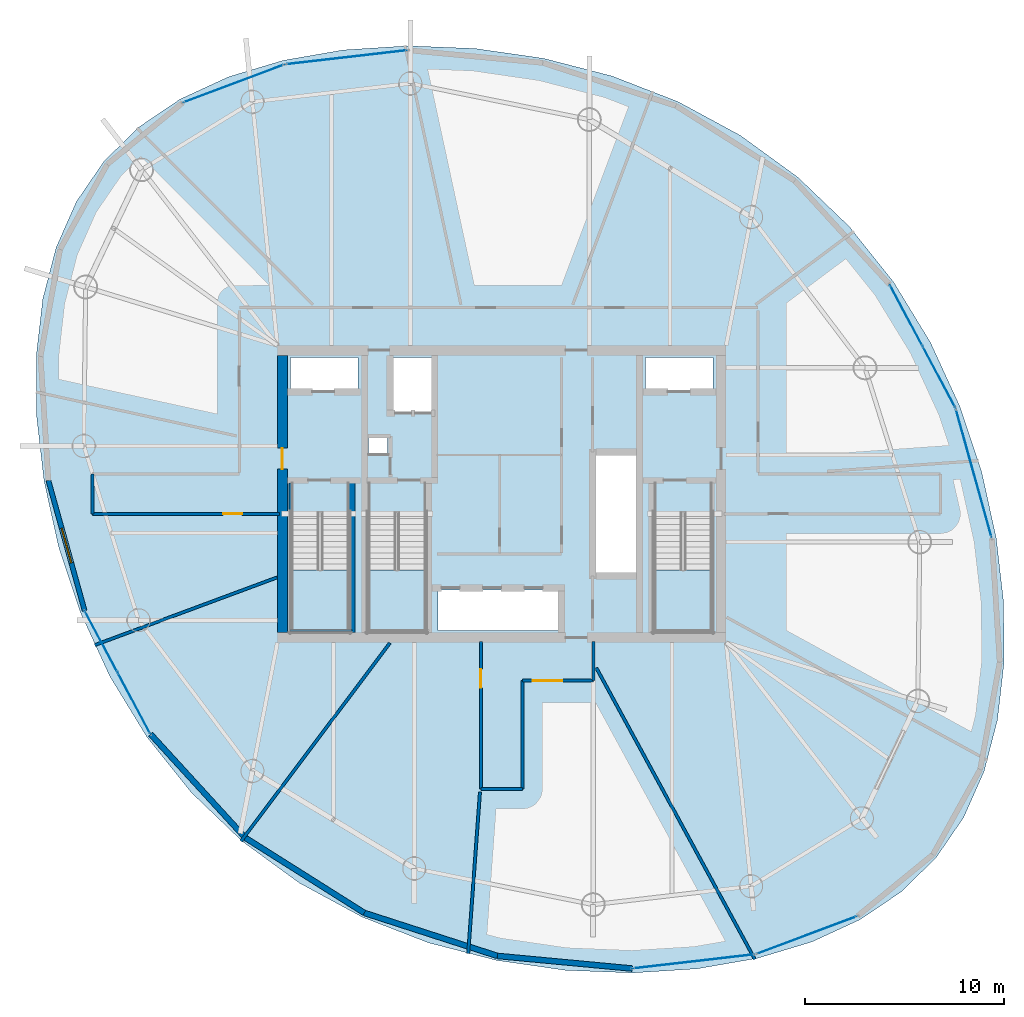
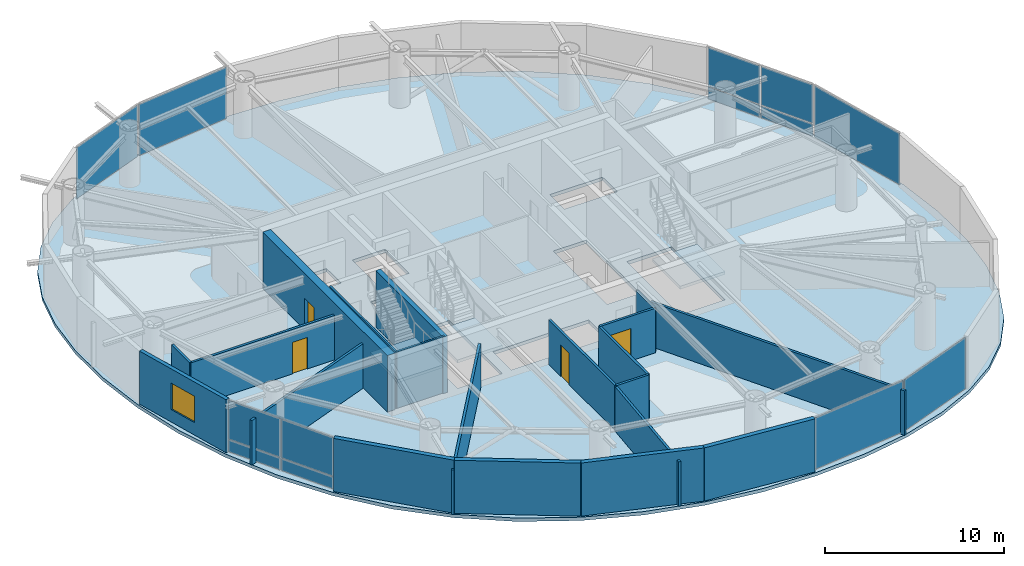
# One storey, part 16 of 22: 20 walls, 13 plates, 4 doors, 4 slabs, 1 window, 5 openings, 10 elements without a shape of their own.
"""IFC4 building model written with IfcOpenShell, lengths in metres."""

from ifc_helpers import new_model, si_unit, direction, frame, frame_2d, origin, origin_2d, place, context, subcontext, project, spatial, polyline, rectangle, outline, extrude, material, layer, layer_set, type_object, element, fill, aggregate, save


model = new_model("IFC4")

# Units and contexts
model_context = context("Model", 3, precision=1e-05, world=origin(), true_north=direction((0.0, 1.0)))
body_context = subcontext(model_context, "Body", "Model", "MODEL_VIEW")
ifc_project = project(units=[si_unit("LENGTHUNIT", "METRE"), si_unit("AREAUNIT", "SQUARE_METRE"), si_unit("VOLUMEUNIT", "CUBIC_METRE"), si_unit("PLANEANGLEUNIT", "RADIAN"), si_unit("MASSUNIT", "GRAM", prefix="KILO")], contexts=[model_context])

# Site, building, storey
site_placement = place(None, origin())
site = spatial("IfcSite", under=ifc_project, at=site_placement, CompositionType="ELEMENT")
building_placement = place(site_placement, origin())
building = spatial("IfcBuilding", under=site, at=building_placement, Name="Bramvorn Convention Spire", CompositionType="ELEMENT")
storey_placement = place(building_placement, frame((0.0, 0.0, 190.449951171875)))
storey = spatial("IfcBuildingStorey", under=building, at=storey_placement, Name="L48", CompositionType="ELEMENT", Elevation=190.449951171875)

# Curtain wall, plate
ifc_material_1 = material(Name="Anodised Bronze Unitised Curtain Wall", Category="aluminium")
ifc_layer_1 = layer(ifc_material_1, 0.179931640625)
ifc_layer_set_1 = layer_set([ifc_layer_1], Name="Anodised Bronze Unitised Curtain Wall - CW-OFF-FRIT")
curtain_wall_type = type_object("IfcCurtainWallType", Name="CW-OFF-FRIT", PredefinedType="USERDEFINED", material=ifc_layer_set_1)
curtain_wall_1_placement = place(storey_placement, origin())
curtain_wall_1 = element("IfcCurtainWall", 1, at=curtain_wall_1_placement, inside=storey, type_object=curtain_wall_type, Name="L48 fritted glass curtain wall 04", ObjectType="UNITISED CURTAIN WALL", PredefinedType="USERDEFINED")
ifc_material_2 = material(Name="Laminated Low-E Glass (Triple IGU Solar Bronze Frit 28%)", Category="glass")
ifc_layer_2 = layer(ifc_material_2, 0.0400390625)
ifc_layer_set_2 = layer_set([ifc_layer_2], Name="Laminated Low-E Glass (Triple IGU Solar Bronze Frit 28%) - PNL-IGU-3")
plate_type = type_object("IfcPlateType", Name="PNL-IGU-3", PredefinedType="CURTAIN_PANEL", material=ifc_layer_set_2)
plate_1_placement = place(storey_placement, frame((61.664306640625, 27.045166015625, 0.06005859375), z_axis=(0.0, 0.0, 1.0), x_axis=(0.268021662336, -0.963412885797, 0.0)))
plate_1 = element("IfcPlate", 2, at=plate_1_placement, type_object=plate_type, Name="CW3 panel 1.1", PredefinedType="CURTAIN_PANEL", context=body_context, shape_type="SweptSolid", body=[
    extrude(rectangle(XDim=6.66455078125, YDim=0.028076171875, at=origin_2d()), origin(), (0.0, 0.0, 1.0), 3.5),
])
aggregate(curtain_wall_1, [plate_1])

# Curtain wall, plates
curtain_wall_2_placement = place(storey_placement, origin())
curtain_wall_2 = element("IfcCurtainWall", 3, at=curtain_wall_2_placement, inside=storey, type_object=curtain_wall_type, Name="L48 fritted glass curtain wall 05", ObjectType="UNITISED CURTAIN WALL", PredefinedType="USERDEFINED")
plate_2_placement = place(storey_placement, frame((58.2822265625, 34.942626953125, 0.06005859375), z_axis=(0.0, 0.0, 1.0), x_axis=(0.471156158426, -0.882049814, 0.0)))
plate_2 = element("IfcPlate", 4, at=plate_2_placement, type_object=plate_type, Name="CW3 panel 1.1", PredefinedType="CURTAIN_PANEL", context=body_context, shape_type="SweptSolid", body=[
    extrude(rectangle(XDim=3.418701171875, YDim=0.028076171875, at=origin_2d()), origin(), (0.0, 0.0, 1.0), 0.81005859375),
])
plate_3_placement = place(storey_placement, frame((58.2822265625, 34.942626953125, 0.93017578125), z_axis=(0.0, 0.0, 1.0), x_axis=(0.471156158426, -0.882049814, 0.0)))
plate_3 = element("IfcPlate", 5, at=plate_3_placement, type_object=plate_type, Name="CW3 panel 1.2", PredefinedType="CURTAIN_PANEL", context=body_context, shape_type="SweptSolid", body=[
    extrude(rectangle(XDim=3.418701171875, YDim=0.028076171875, at=origin_2d()), origin(), (0.0, 0.0, 1.0), 2.6298828125),
])
plate_4_placement = place(storey_placement, frame((59.92138671875, 31.8740234375, 0.06005859375), z_axis=(0.0, 0.0, 1.0), x_axis=(0.471156158426, -0.882049814, 0.0)))
plate_4 = element("IfcPlate", 6, at=plate_4_placement, type_object=plate_type, Name="CW3 panel 2.1", PredefinedType="CURTAIN_PANEL", context=body_context, shape_type="SweptSolid", body=[
    extrude(rectangle(XDim=3.418701171875, YDim=0.028076171875, at=origin_2d()), origin(), (0.0, 0.0, 1.0), 0.81005859375),
])
plate_5_placement = place(storey_placement, frame((59.92138671875, 31.8740234375, 0.93017578125), z_axis=(0.0, 0.0, 1.0), x_axis=(0.471156158426, -0.882049814, 0.0)))
plate_5 = element("IfcPlate", 7, at=plate_5_placement, type_object=plate_type, Name="CW3 panel 2.2", PredefinedType="CURTAIN_PANEL", context=body_context, shape_type="SweptSolid", body=[
    extrude(rectangle(XDim=3.418701171875, YDim=0.028076171875, at=origin_2d()), origin(), (0.0, 0.0, 1.0), 2.6298828125),
])
aggregate(curtain_wall_2, [plate_2, plate_3, plate_4, plate_5])

# Curtain wall, plate
curtain_wall_3_placement = place(storey_placement, origin())
curtain_wall_3 = element("IfcCurtainWall", 8, at=curtain_wall_3_placement, inside=storey, type_object=curtain_wall_type, Name="L48 fritted glass curtain wall 10", ObjectType="UNITISED CURTAIN WALL", PredefinedType="USERDEFINED")
plate_6_placement = place(storey_placement, frame((30.209228515625, 47.895263671875, 0.06005859375), z_axis=(0.0, 0.0, 1.0), x_axis=(0.99341624907, 0.114560709165, 0.0)))
plate_6 = element("IfcPlate", 9, at=plate_6_placement, type_object=plate_type, Name="CW3 panel 1.1", PredefinedType="CURTAIN_PANEL", context=body_context, shape_type="SweptSolid", body=[
    extrude(rectangle(XDim=6.1064453125, YDim=0.028076171875, at=origin_2d()), origin(), (0.0, 0.0, 1.0), 3.5),
])
aggregate(curtain_wall_3, [plate_6])

curtain_wall_4_placement = place(storey_placement, origin())
curtain_wall_4 = element("IfcCurtainWall", 10, at=curtain_wall_4_placement, inside=storey, type_object=curtain_wall_type, Name="L48 fritted glass curtain wall 11", ObjectType="UNITISED CURTAIN WALL", PredefinedType="USERDEFINED")
plate_7_placement = place(storey_placement, frame((24.55810546875, 46.57958984375, 0.06005859375), z_axis=(0.0, 0.0, 1.0), x_axis=(0.936385569171, 0.350973027239, 0.0)))
plate_7 = element("IfcPlate", 11, at=plate_7_placement, type_object=plate_type, Name="CW3 panel 1.1", PredefinedType="CURTAIN_PANEL", context=body_context, shape_type="SweptSolid", body=[
    extrude(rectangle(XDim=5.344482421875, YDim=0.028076171875, at=origin_2d()), origin(), (0.0, 0.0, 1.0), 3.5),
])
aggregate(curtain_wall_4, [plate_7])

# Curtain wall, plates
curtain_wall_5_placement = place(storey_placement, origin())
curtain_wall_5 = element("IfcCurtainWall", 12, at=curtain_wall_5_placement, inside=storey, type_object=curtain_wall_type, Name="L48 fritted glass curtain wall 17", ObjectType="UNITISED CURTAIN WALL", PredefinedType="USERDEFINED")
plate_8_placement = place(storey_placement, frame((19.558837890625, 15.51806640625, 0.06005859375), z_axis=(0.0, 0.0, 1.0), x_axis=(-0.471162080469, 0.882046650653, 0.0)))
plate_8 = element("IfcPlate", 13, at=plate_8_placement, type_object=plate_type, Name="CW3 panel 1.1", PredefinedType="CURTAIN_PANEL", context=body_context, shape_type="SweptSolid", body=[
    extrude(rectangle(XDim=3.418701171875, YDim=0.028076171875, at=origin_2d()), origin(), (0.0, 0.0, 1.0), 0.81005859375),
])
plate_9_placement = place(storey_placement, frame((19.558837890625, 15.51806640625, 0.93017578125), z_axis=(0.0, 0.0, 1.0), x_axis=(-0.471162080469, 0.882046650653, 0.0)))
plate_9 = element("IfcPlate", 14, at=plate_9_placement, type_object=plate_type, Name="CW3 panel 1.2", PredefinedType="CURTAIN_PANEL", context=body_context, shape_type="SweptSolid", body=[
    extrude(rectangle(XDim=3.418701171875, YDim=0.028076171875, at=origin_2d()), origin(), (0.0, 0.0, 1.0), 2.6298828125),
])
plate_10_placement = place(storey_placement, frame((17.919921875, 18.58642578125, 0.06005859375), z_axis=(0.0, 0.0, 1.0), x_axis=(-0.471162080469, 0.882046650653, 0.0)))
plate_10 = element("IfcPlate", 15, at=plate_10_placement, type_object=plate_type, Name="CW3 panel 2.1", PredefinedType="CURTAIN_PANEL", context=body_context, shape_type="SweptSolid", body=[
    extrude(rectangle(XDim=3.418701171875, YDim=0.028076171875, at=origin_2d()), origin(), (0.0, 0.0, 1.0), 0.81005859375),
])
plate_11_placement = place(storey_placement, frame((17.919921875, 18.58642578125, 0.93017578125), z_axis=(0.0, 0.0, 1.0), x_axis=(-0.471162080469, 0.882046650653, 0.0)))
plate_11 = element("IfcPlate", 16, at=plate_11_placement, type_object=plate_type, Name="CW3 panel 2.2", PredefinedType="CURTAIN_PANEL", context=body_context, shape_type="SweptSolid", body=[
    extrude(rectangle(XDim=3.418701171875, YDim=0.028076171875, at=origin_2d()), origin(), (0.0, 0.0, 1.0), 2.6298828125),
])
aggregate(curtain_wall_5, [plate_8, plate_9, plate_10, plate_11])

# Curtain wall, plate
curtain_wall_6_placement = place(storey_placement, origin())
curtain_wall_6 = element("IfcCurtainWall", 17, at=curtain_wall_6_placement, inside=storey, type_object=curtain_wall_type, Name="L48 fritted glass curtain wall 22", ObjectType="UNITISED CURTAIN WALL", PredefinedType="USERDEFINED")
plate_12_placement = place(storey_placement, frame((47.632080078125, 2.565185546875, 0.06005859375), z_axis=(0.0, 0.0, 1.0), x_axis=(-0.993414421139, -0.114576558999, 0.0)))
plate_12 = element("IfcPlate", 18, at=plate_12_placement, type_object=plate_type, Name="CW3 panel 1.1", PredefinedType="CURTAIN_PANEL", context=body_context, shape_type="SweptSolid", body=[
    extrude(rectangle(XDim=6.1064453125, YDim=0.028076171875, at=origin_2d()), origin(), (0.0, 0.0, 1.0), 3.5),
])
aggregate(curtain_wall_6, [plate_12])

curtain_wall_7_placement = place(storey_placement, origin())
curtain_wall_7 = element("IfcCurtainWall", 19, at=curtain_wall_7_placement, inside=storey, type_object=curtain_wall_type, Name="L48 fritted glass curtain wall 23", ObjectType="UNITISED CURTAIN WALL", PredefinedType="USERDEFINED")
plate_13_placement = place(storey_placement, frame((53.283203125, 3.880859375, 0.06005859375), z_axis=(0.0, 0.0, 1.0), x_axis=(-0.936391583249, -0.350956981439, 0.0)))
plate_13 = element("IfcPlate", 20, at=plate_13_placement, type_object=plate_type, Name="CW3 panel 1.1", PredefinedType="CURTAIN_PANEL", context=body_context, shape_type="SweptSolid", body=[
    extrude(rectangle(XDim=5.344482421875, YDim=0.028076171875, at=origin_2d()), origin(), (0.0, 0.0, 1.0), 3.5),
])
aggregate(curtain_wall_7, [plate_13])

# Stair, slab
ifc_material_3 = material(Name="Concrete C40/50 Precast Stair", Category="concrete")
stair_type = type_object("IfcStairType", Name="ST-TOWER-1550", PredefinedType="HALF_TURN_STAIR", material=ifc_material_3)
stair_1_placement = place(storey_placement, origin())
stair_1 = element("IfcStair", 21, at=stair_1_placement, inside=storey, type_object=stair_type, Name="L48 Protected Exit Stair ST1", PredefinedType="HALF_TURN_STAIR")
ifc_material_4 = material(Name="Concrete C40/50 Stair Landing", Category="concrete")
ifc_layer_3 = layer(ifc_material_4, 0.219970703125)
ifc_layer_set_3 = layer_set([ifc_layer_3], Name="Concrete C40/50 Stair Landing - SLB-STAIR-LANDING")
slab_type_1 = type_object("IfcSlabType", Name="SLB-STAIR-LANDING", PredefinedType="LANDING", material=ifc_layer_set_3)
slab_1_placement = place(storey_placement, frame((0.0, 0.0, 1.72509765625)))
slab_1 = element("IfcSlab", 22, at=slab_1_placement, type_object=slab_type_1, Name="ST1 landing 1", PredefinedType="LANDING", context=body_context, shape_type="SweptSolid", body=[
    extrude(outline(polyline([(27.449951171875, 22.199951171875), (27.449951171875, 19.10009765625), (30.35009765625, 19.10009765625), (30.35009765625, 22.199951171875), (27.449951171875, 22.199951171875)])), origin(), (0.0, 0.0, 1.0), 0.199951171875),
])
aggregate(stair_1, [slab_1])

stair_2_placement = place(storey_placement, origin())
stair_2 = element("IfcStair", 23, at=stair_2_placement, inside=storey, type_object=stair_type, Name="L48 Protected Exit Stair ST2", PredefinedType="HALF_TURN_STAIR")
slab_2_placement = place(storey_placement, frame((0.0, 0.0, 1.72509765625)))
slab_2 = element("IfcSlab", 24, at=slab_2_placement, type_object=slab_type_1, Name="ST2 landing 1", PredefinedType="LANDING", context=body_context, shape_type="SweptSolid", body=[
    extrude(outline(polyline([(45.64990234375, 22.199951171875), (45.64990234375, 19.10009765625), (48.550048828125, 19.10009765625), (48.550048828125, 22.199951171875), (45.64990234375, 22.199951171875)])), origin(), (0.0, 0.0, 1.0), 0.199951171875),
])
aggregate(stair_2, [slab_2])

stair_3_placement = place(storey_placement, origin())
stair_3 = element("IfcStair", 25, at=stair_3_placement, inside=storey, type_object=stair_type, Name="L48 Protected Exit Stair ST3", PredefinedType="HALF_TURN_STAIR")
slab_3_placement = place(storey_placement, frame((0.0, 0.0, 1.72509765625)))
slab_3 = element("IfcSlab", 26, at=slab_3_placement, type_object=slab_type_1, Name="ST3 landing 1", PredefinedType="LANDING", context=body_context, shape_type="SweptSolid", body=[
    extrude(outline(polyline([(31.300048828125, 22.199951171875), (31.300048828125, 19.10009765625), (34.199951171875, 19.10009765625), (34.199951171875, 22.199951171875), (31.300048828125, 22.199951171875)])), origin(), (0.0, 0.0, 1.0), 0.199951171875),
])
aggregate(stair_3, [slab_3])

# Slab
ifc_material_5 = material(Name="Concrete C40/50", Category="concrete")
ifc_layer_4 = layer(ifc_material_5, 0.22998046875)
ifc_layer_set_4 = layer_set([ifc_layer_4], Name="Concrete C40/50 - SLB-Z3-230")
slab_type_2 = type_object("IfcSlabType", Name="SLB-Z3-230", PredefinedType="FLOOR", material=ifc_layer_set_4)
slab_4_placement = place(storey_placement, frame((0.0, 0.0, -0.22998046875)))
element("IfcSlab", 27, at=slab_4_placement, inside=storey, type_object=slab_type_2, Name="L48 tower floor slab", PredefinedType="FLOOR", context=body_context, shape_type="SweptSolid", body=[
    extrude(outline(polyline([(59.78759765625, 7.78271484375), (61.161865234375, 9.789306640625), (62.182373046875, 12.091796875), (62.85400390625, 14.677978515625), (63.1806640625, 17.52197265625), (63.16162109375, 20.5810546875), (62.79248046875, 23.796630859375), (62.064208984375, 27.095703125), (60.966552734375, 30.394775390625), (59.491455078125, 33.60546875), (57.637939453125, 36.64111328125), (55.414794921875, 39.42236328125), (52.84521484375, 41.8837890625), (49.967529296875, 43.97705078125), (46.83642578125, 45.672607421875), (43.520751953125, 46.959228515625), (40.099609375, 47.84228515625), (36.658203125, 48.33837890625), (33.2822265625, 48.47119140625), (30.052001953125, 48.264892578125), (27.0380859375, 47.74169921875), (24.297119140625, 46.916748046875), (21.87060546875, 45.797607421875), (19.78515625, 44.385498046875), (18.0537109375, 42.677734375), (16.679443359375, 40.671142578125), (15.658935546875, 38.36865234375), (14.9873046875, 35.782470703125), (14.66064453125, 32.938720703125), (14.679443359375, 29.87939453125), (15.048583984375, 26.663818359375), (15.777099609375, 23.36474609375), (16.874755859375, 20.065673828125), (18.349609375, 16.85498046875), (20.203125, 13.819580078125), (22.42626953125, 11.0380859375), (24.99609375, 8.57666015625), (27.873779296875, 6.4833984375), (31.004638671875, 4.7880859375), (34.320556640625, 3.501220703125), (37.74169921875, 2.618408203125), (41.18310546875, 2.1220703125), (44.558837890625, 1.989501953125), (47.7890625, 2.195556640625), (50.80322265625, 2.71875), (53.544189453125, 3.543701171875), (55.970703125, 4.662841796875), (58.05615234375, 6.074951171875), (59.78759765625, 7.78271484375)]), holes=[polyline([(27.449951171875, 25.050048828125), (27.449951171875, 19.10009765625), (30.35009765625, 19.10009765625), (30.35009765625, 25.050048828125), (27.449951171875, 25.050048828125)]), polyline([(45.64990234375, 25.050048828125), (45.64990234375, 19.10009765625), (48.550048828125, 19.10009765625), (48.550048828125, 25.050048828125), (45.64990234375, 25.050048828125)]), polyline([(31.300048828125, 25.050048828125), (31.300048828125, 19.10009765625), (34.199951171875, 19.10009765625), (34.199951171875, 25.050048828125), (31.300048828125, 25.050048828125)]), polyline([(27.39990234375, 31.219970703125), (30.800048828125, 31.219970703125), (30.800048828125, 32.85009765625), (27.39990234375, 32.85009765625), (27.39990234375, 31.219970703125)]), polyline([(45.199951171875, 31.219970703125), (48.60009765625, 31.219970703125), (48.60009765625, 32.85009765625), (45.199951171875, 32.85009765625), (45.199951171875, 31.219970703125)]), polyline([(32.449951171875, 30.14990234375), (34.56005859375, 30.14990234375), (34.56005859375, 32.85009765625), (32.449951171875, 32.85009765625), (32.449951171875, 30.14990234375)]), polyline([(34.800048828125, 19.14990234375), (40.97998046875, 19.14990234375), (40.97998046875, 21.199951171875), (34.800048828125, 21.199951171875), (34.800048828125, 19.14990234375)]), polyline([(42.6201171875, 22.0), (44.75, 22.0), (44.75, 28.0), (42.6201171875, 28.0), (42.6201171875, 22.0)]), polyline([(31.320068359375, 28.02001953125), (32.280029296875, 28.02001953125), (32.280029296875, 28.820068359375), (31.320068359375, 28.820068359375), (31.320068359375, 28.02001953125)])]), origin(), (0.0, 0.0, 1.0), 0.22998046875),
])

# Wall, opening, door
ifc_material_6 = material(Name="Concrete C50/60", Category="concrete")
ifc_layer_5 = layer(ifc_material_6, 0.5)
ifc_layer_set_5 = layer_set([ifc_layer_5], Name="Concrete C50/60 - WL-CORE-500")
wall_type_1 = type_object("IfcWallType", Name="WL-CORE-500", PredefinedType="SHEAR", material=ifc_layer_set_5)
wall_1_placement = place(storey_placement, frame((27.0, 19.050048828125, 0.0), z_axis=(0.0, 0.0, 1.0), x_axis=(0.0, 1.0, 0.0)))
wall_1 = element("IfcWall", 28, at=wall_1_placement, inside=storey, type_object=wall_type_1, Name="L48 West RC core shear wall", PredefinedType="SHEAR", context=body_context, shape_type="SweptSolid", body=[
    extrude(rectangle(XDim=13.89990234375, YDim=0.5, at=frame_2d((6.949951171875, 0.0))), origin(), (0.0, 0.0, 1.0), 3.85009765625),
])
opening_1_placement = place(wall_1_placement, frame((8.199951171875, 0.0, 0.0)))
opening_1 = element("IfcOpeningElement", 29, at=opening_1_placement, cuts=wall_1, Name="Opening DL-105", PredefinedType="OPENING", context=body_context, shape_type="SweptSolid", body=[
    extrude(rectangle(XDim=1.050048828125, YDim=2.14990234375, at=frame_2d((0.52490234375, 1.074951171875))), frame((0.0, 0.260009765625, 0.0), z_axis=(0.0, -1.0, 0.0), x_axis=(1.0, 0.0, 0.0)), (0.0, 0.0, 1.0), 0.52001953125),
])
ifc_material_7 = material(Name="Smoke-Sealed Fire Lobby Timber-Core Door", Category="wood")
door_type_1 = type_object("IfcDoorType", Name="DR-LOBBY-1050", OperationType="NOTDEFINED", PredefinedType="DOOR", material=ifc_material_7)
door_1_placement = place(opening_1_placement, origin())
door_1 = element("IfcDoor", 30, at=door_1_placement, inside=storey, type_object=door_type_1, Name="L48 West Firefighting Lobby corridor door", OperationType="SINGLE_SWING_RIGHT", OverallHeight=2.14990234375, OverallWidth=1.050048828125, PredefinedType="DOOR", context=body_context, shape_type="SweptSolid", body=[
    extrude(rectangle(XDim=1.050048828125, YDim=2.14990234375, at=frame_2d((0.52490234375, 1.074951171875))), frame((0.0, 0.02490234375, 0.0), z_axis=(0.0, -1.0, 0.0), x_axis=(1.0, 0.0, 0.0)), (0.0, 0.0, 1.0), 0.050048828125),
])
fill(opening_1, door_1)

# Wall, opening, window
ifc_material_8 = material(Name="Precast Concrete C40/50 with Bronze Terracotta Rainscreen", Category="masonry")
ifc_layer_6 = layer(ifc_material_8, 0.300048828125)
ifc_layer_set_6 = layer_set([ifc_layer_6], Name="Precast Concrete C40/50 with Bronze Terracotta Rainscreen - WL-EXT-BRONZE-300")
wall_type_2 = type_object("IfcWallType", Name="WL-EXT-BRONZE-300", PredefinedType="SOLIDWALL", material=ifc_layer_set_6)
wall_2_placement = place(storey_placement, frame((17.086181640625, 20.147216796875, 0.0), z_axis=(0.0, 0.0, 1.0), x_axis=(-0.268022467679, 0.963412661749, 0.0)))
wall_2 = element("IfcWall", 31, at=wall_2_placement, inside=storey, type_object=wall_type_2, Name="L48 bronze ceramic-frit spandrel & operable window bay 16", PredefinedType="SOLIDWALL", context=body_context, shape_type="SweptSolid", body=[
    extrude(rectangle(XDim=6.784423828125, YDim=0.239990234375, at=frame_2d((3.39208984375, 0.0))), origin(), (0.0, 0.0, 1.0), 3.6201171875),
])
opening_2_placement = place(wall_2_placement, frame((2.4921875, 0.0, 0.85009765625)))
opening_2 = element("IfcOpeningElement", 32, at=opening_2_placement, cuts=wall_2, Name="Opening WN03", PredefinedType="OPENING", context=body_context, shape_type="SweptSolid", body=[
    extrude(rectangle(XDim=1.800048828125, YDim=1.800048828125, at=frame_2d((0.89990234375, 0.89990234375))), frame((0.0, 0.1298828125, 0.0), z_axis=(0.0, -1.0, 0.0), x_axis=(1.0, 0.0, 0.0)), (0.0, 0.0, 1.0), 0.260009765625),
])
ifc_material_9 = material(Name="Thermally Broken Bronze Aluminium & Triple Low-E Glass", Category="aluminium")
window_type = type_object("IfcWindowType", Name="WN-OP-1800X1800", PartitioningType="SINGLE_PANEL", PredefinedType="WINDOW", material=ifc_material_9)
window_placement = place(opening_2_placement, origin())
window = element("IfcWindow", 33, at=window_placement, inside=storey, type_object=window_type, Name="L48 operable parallel-vent window 16", OverallHeight=1.800048828125, OverallWidth=1.800048828125, PartitioningType="SINGLE_PANEL", PredefinedType="WINDOW", context=body_context, shape_type="SweptSolid", body=[
    extrude(rectangle(XDim=1.800048828125, YDim=1.800048828125, at=frame_2d((0.89990234375, 0.89990234375))), frame((0.0, 0.030029296875, 0.0), z_axis=(0.0, -1.0, 0.0), x_axis=(1.0, 0.0, 0.0)), (0.0, 0.0, 1.0), 0.06005859375),
])
fill(opening_2, window)

# Walls
wall_3_placement = place(storey_placement, frame((25.1484375, 8.7587890625, 0.0), z_axis=(0.0, 0.0, 1.0), x_axis=(-0.674997810136, 0.737819731582, 0.0)))
element("IfcWall", 34, at=wall_3_placement, inside=storey, type_object=wall_type_2, Name="L48 expressed bronze Gothic lancet pier wall 18", PredefinedType="SOLIDWALL", context=body_context, shape_type="SweptSolid", body=[
    extrude(rectangle(XDim=7.045654296875, YDim=0.280029296875, at=frame_2d((3.52294921875, 0.0))), origin(), (0.0, 0.0, 1.0), 3.6201171875),
])
wall_4_placement = place(storey_placement, frame((31.106689453125, 4.998779296875, 0.0), z_axis=(0.0, 0.0, 1.0), x_axis=(-0.845687288616, 0.533678751566, 0.0)))
element("IfcWall", 35, at=wall_4_placement, inside=storey, type_object=wall_type_2, Name="L48 expressed bronze Gothic lancet pier wall 19", PredefinedType="SOLIDWALL", context=body_context, shape_type="SweptSolid", body=[
    extrude(rectangle(XDim=7.04541015625, YDim=0.280029296875, at=frame_2d((3.522705078125, 0.0))), origin(), (0.0, 0.0, 1.0), 3.6201171875),
])
wall_5_placement = place(storey_placement, frame((37.7841796875, 2.8408203125, 0.0), z_axis=(0.0, 0.0, 1.0), x_axis=(-0.951544860773, 0.307509963964, 0.0)))
element("IfcWall", 36, at=wall_5_placement, inside=storey, type_object=wall_type_2, Name="L48 expressed bronze Gothic lancet pier wall 20", PredefinedType="SOLIDWALL", context=body_context, shape_type="SweptSolid", body=[
    extrude(rectangle(XDim=7.017578125, YDim=0.280029296875, at=frame_2d((3.5087890625, 0.0))), origin(), (0.0, 0.0, 1.0), 3.6201171875),
])
wall_6_placement = place(storey_placement, frame((44.539306640625, 2.20849609375, 0.0), z_axis=(0.0, 0.0, 1.0), x_axis=(-0.995647488007, 0.093199139613, 0.0)))
element("IfcWall", 37, at=wall_6_placement, inside=storey, type_object=wall_type_2, Name="L48 expressed bronze Gothic lancet pier wall 21", PredefinedType="SOLIDWALL", context=body_context, shape_type="SweptSolid", body=[
    extrude(rectangle(XDim=6.78466796875, YDim=0.280029296875, at=frame_2d((3.392333984375, 0.0))), origin(), (0.0, 0.0, 1.0), 3.6201171875),
])

# Wall, opening, door
ifc_material_10 = material(Name="Acoustic Metal-Stud Tenant/Corridor Partition", Category="gypsum")
ifc_layer_7 = layer(ifc_material_10, 0.14990234375)
ifc_layer_set_7 = layer_set([ifc_layer_7], Name="Acoustic Metal-Stud Tenant/Corridor Partition - WL-PART-150")
wall_type_3 = type_object("IfcWallType", Name="WL-PART-150", PredefinedType="PARTITIONING", material=ifc_layer_set_7)
wall_7_placement = place(storey_placement, frame((17.49169921875, 25.0, 0.0), z_axis=(0.0, 0.0, 1.0), x_axis=(1.0, 0.0, 0.0)))
wall_7 = element("IfcWall", 38, at=wall_7_placement, inside=storey, type_object=wall_type_3, Name="L48 West wing spine south wall", PredefinedType="PARTITIONING", context=body_context, shape_type="SweptSolid", body=[
    extrude(rectangle(XDim=9.3583984375, YDim=0.14990234375, at=frame_2d((4.67919921875, 0.0))), origin(), (0.0, 0.0, 1.0), 3.03515625),
])
opening_3_placement = place(wall_7_placement, frame((6.543701171875, 0.0, 0.0)))
opening_3 = element("IfcOpeningElement", 39, at=opening_3_placement, cuts=wall_7, Name="Opening DH-095", PredefinedType="OPENING", context=body_context, shape_type="SweptSolid", body=[
    extrude(rectangle(XDim=0.949951171875, YDim=2.14990234375, at=frame_2d((0.47509765625, 1.074951171875))), frame((0.0, 0.0849609375, 0.0), z_axis=(0.0, -1.0, 0.0), x_axis=(1.0, 0.0, 0.0)), (0.0, 0.0, 1.0), 0.169921875),
])
ifc_material_11 = material(Name="Solid-Core Acoustic Guestroom Entry Door", Category="wood")
door_type_2 = type_object("IfcDoorType", Name="DR-HOTEL-950", OperationType="NOTDEFINED", PredefinedType="DOOR", material=ifc_material_11)
door_2_placement = place(opening_3_placement, origin())
door_2 = element("IfcDoor", 40, at=door_2_placement, inside=storey, type_object=door_type_2, Name="L48 Partner Private Office 3 6 door", OperationType="SINGLE_SWING_RIGHT", OverallHeight=2.14990234375, OverallWidth=0.949951171875, PredefinedType="DOOR", context=body_context, shape_type="SweptSolid", body=[
    extrude(rectangle(XDim=0.949951171875, YDim=2.14990234375, at=frame_2d((0.47509765625, 1.074951171875))), frame((0.0, 0.02490234375, 0.0), z_axis=(0.0, -1.0, 0.0), x_axis=(1.0, 0.0, 0.0)), (0.0, 0.0, 1.0), 0.050048828125),
])
fill(opening_3, door_2)

# Wall
wall_8_placement = place(storey_placement, frame((17.49169921875, 25.0, 0.0), z_axis=(0.0, 0.0, 1.0), x_axis=(0.0, 1.0, 0.0)))
element("IfcWall", 41, at=wall_8_placement, inside=storey, type_object=wall_type_3, Name="L48 West wing spine end wall", PredefinedType="PARTITIONING", context=body_context, shape_type="SweptSolid", body=[
    extrude(rectangle(XDim=2.0, YDim=0.14990234375, at=frame_2d((1.0, 0.0))), origin(), (0.0, 0.0, 1.0), 3.03515625),
])

# Wall, opening, door
wall_9_placement = place(storey_placement, frame((36.949951171875, 11.199951171875, 0.0), z_axis=(0.0, 0.0, 1.0), x_axis=(0.0, 1.0, 0.0)))
wall_9 = element("IfcWall", 42, at=wall_9_placement, inside=storey, type_object=wall_type_3, Name="L48 South axial spine west wall", PredefinedType="PARTITIONING", context=body_context, shape_type="SweptSolid", body=[
    extrude(rectangle(XDim=7.400146484375, YDim=0.14990234375, at=frame_2d((3.7001953125, 0.0))), origin(), (0.0, 0.0, 1.0), 3.03515625),
])
opening_4_placement = place(wall_9_placement, frame((5.074951171875, 0.0, 0.0)))
opening_4 = element("IfcOpeningElement", 43, at=opening_4_placement, cuts=wall_9, Name="Opening DH-095", PredefinedType="OPENING", context=body_context, shape_type="SweptSolid", body=[
    extrude(rectangle(XDim=0.949951171875, YDim=2.14990234375, at=frame_2d((0.47509765625, 1.074951171875))), frame((0.0, 0.0849609375, 0.0), z_axis=(0.0, -1.0, 0.0), x_axis=(1.0, 0.0, 0.0)), (0.0, 0.0, 1.0), 0.169921875),
])
door_3_placement = place(opening_4_placement, origin())
door_3 = element("IfcDoor", 44, at=door_3_placement, inside=storey, type_object=door_type_2, Name="L48 Refreshment Kitchen 8 door", OperationType="SINGLE_SWING_RIGHT", OverallHeight=2.14990234375, OverallWidth=0.949951171875, PredefinedType="DOOR", context=body_context, shape_type="SweptSolid", body=[
    extrude(rectangle(XDim=0.949951171875, YDim=2.14990234375, at=frame_2d((0.47509765625, 1.074951171875))), frame((0.0, 0.02490234375, 0.0), z_axis=(0.0, -1.0, 0.0), x_axis=(1.0, 0.0, 0.0)), (0.0, 0.0, 1.0), 0.050048828125),
])
fill(opening_4, door_3)

# Wall
wall_10_placement = place(storey_placement, frame((39.050048828125, 11.199951171875, 0.0), z_axis=(0.0, 0.0, 1.0), x_axis=(0.0, 1.0, 0.0)))
element("IfcWall", 45, at=wall_10_placement, inside=storey, type_object=wall_type_3, Name="L48 South axial spine east wall", PredefinedType="PARTITIONING", context=body_context, shape_type="SweptSolid", body=[
    extrude(rectangle(XDim=5.449951171875, YDim=0.14990234375, at=frame_2d((2.72509765625, 0.0))), origin(), (0.0, 0.0, 1.0), 3.03515625),
])

# Wall, opening, door
wall_11_placement = place(storey_placement, frame((39.050048828125, 16.64990234375, 0.0), z_axis=(0.0, 0.0, 1.0), x_axis=(1.0, 0.0, 0.0)))
wall_11 = element("IfcWall", 46, at=wall_11_placement, inside=storey, type_object=wall_type_3, Name="L48 South lift lobby link wall", PredefinedType="PARTITIONING", context=body_context, shape_type="SweptSolid", body=[
    extrude(rectangle(XDim=3.550048828125, YDim=0.14990234375, at=frame_2d((1.77490234375, 0.0))), origin(), (0.0, 0.0, 1.0), 3.03515625),
])
opening_5_placement = place(wall_11_placement, frame((0.492431640625, 0.0, 0.0)))
opening_5 = element("IfcOpeningElement", 47, at=opening_5_placement, cuts=wall_11, Name="Opening DC-150", PredefinedType="OPENING", context=body_context, shape_type="SweptSolid", body=[
    extrude(rectangle(XDim=1.5, YDim=2.199951171875, at=frame_2d((0.75, 1.10009765625))), frame((0.0, 0.0849609375, 0.0), z_axis=(0.0, -1.0, 0.0), x_axis=(1.0, 0.0, 0.0)), (0.0, 0.0, 1.0), 0.169921875),
])
ifc_material_12 = material(Name="Double-Leaf Smoke-Control Corridor Door", Category="wood")
door_type_3 = type_object("IfcDoorType", Name="DR-COR-1500", OperationType="NOTDEFINED", PredefinedType="DOOR", material=ifc_material_12)
door_4_placement = place(opening_5_placement, origin())
door_4 = element("IfcDoor", 48, at=door_4_placement, inside=storey, type_object=door_type_3, Name="L48 Staff Dining Nook 9 door", OperationType="DOUBLE_DOOR_SINGLE_SWING", OverallHeight=2.199951171875, OverallWidth=1.5, PredefinedType="DOOR", context=body_context, shape_type="SweptSolid", body=[
    extrude(rectangle(XDim=1.5, YDim=2.199951171875, at=frame_2d((0.75, 1.10009765625))), frame((0.0, 0.02490234375, 0.0), z_axis=(0.0, -1.0, 0.0), x_axis=(1.0, 0.0, 0.0)), (0.0, 0.0, 1.0), 0.050048828125),
])
fill(opening_5, door_4)

# Walls
wall_12_placement = place(storey_placement, frame((42.60009765625, 16.64990234375, 0.0), z_axis=(0.0, 0.0, 1.0), x_axis=(0.0, 1.0, 0.0)))
element("IfcWall", 49, at=wall_12_placement, inside=storey, type_object=wall_type_3, Name="L48 South lift lobby east cheek", PredefinedType="PARTITIONING", context=body_context, shape_type="SweptSolid", body=[
    extrude(rectangle(XDim=1.9501953125, YDim=0.14990234375, at=frame_2d((0.97509765625, 0.0))), origin(), (0.0, 0.0, 1.0), 3.03515625),
])
wall_13_placement = place(storey_placement, frame((36.949951171875, 11.199951171875, 0.0), z_axis=(0.0, 0.0, 1.0), x_axis=(1.0, 0.0, 0.0)))
element("IfcWall", 50, at=wall_13_placement, inside=storey, type_object=wall_type_3, Name="L48 South axial spine end wall", PredefinedType="PARTITIONING", context=body_context, shape_type="SweptSolid", body=[
    extrude(rectangle(XDim=2.10009765625, YDim=0.14990234375, at=frame_2d((1.050048828125, 0.0))), origin(), (0.0, 0.0, 1.0), 3.03515625),
])
wall_14_placement = place(storey_placement, frame((26.72998046875, 21.81689453125, 0.0), z_axis=(0.0, 0.0, 1.0), x_axis=(-0.937500713905, -0.347983349353, 0.0)))
element("IfcWall", 51, at=wall_14_placement, inside=storey, type_object=wall_type_3, Name="L48 Tenant suite partition 7", PredefinedType="PARTITIONING", context=body_context, shape_type="SweptSolid", body=[
    extrude(rectangle(XDim=9.7451171875, YDim=0.14990234375, at=frame_2d((4.87255859375, 0.0))), origin(), (0.0, 0.0, 1.0), 3.03515625),
])
wall_15_placement = place(storey_placement, frame((32.389404296875, 18.530029296875, 0.0), z_axis=(0.0, 0.0, 1.0), x_axis=(-0.600540681627, -0.79959420315, 0.0)))
element("IfcWall", 52, at=wall_15_placement, inside=storey, type_object=wall_type_3, Name="L48 Tenant suite partition 8", PredefinedType="PARTITIONING", context=body_context, shape_type="SweptSolid", body=[
    extrude(rectangle(XDim=12.42333984375, YDim=0.14990234375, at=frame_2d((6.211669921875, 0.0))), origin(), (0.0, 0.0, 1.0), 3.03515625),
])
wall_16_placement = place(storey_placement, frame((36.908203125, 11.06640625, 0.0), z_axis=(0.0, 0.0, 1.0), x_axis=(-0.072938500315, -0.997336440311, 0.0)))
element("IfcWall", 53, at=wall_16_placement, inside=storey, type_object=wall_type_3, Name="L48 Tenant suite partition 9", PredefinedType="PARTITIONING", context=body_context, shape_type="SweptSolid", body=[
    extrude(rectangle(XDim=8.1337890625, YDim=0.14990234375, at=frame_2d((4.06689453125, 0.0))), origin(), (0.0, 0.0, 1.0), 3.03515625),
])
wall_17_placement = place(storey_placement, frame((42.739990234375, 17.28662109375, 0.0), z_axis=(0.0, 0.0, 1.0), x_axis=(0.477857761116, -0.878437226067, 0.0)))
element("IfcWall", 54, at=wall_17_placement, inside=storey, type_object=wall_type_3, Name="L48 Tenant suite partition 10", PredefinedType="PARTITIONING", context=body_context, shape_type="SweptSolid", body=[
    extrude(rectangle(XDim=16.6396484375, YDim=0.14990234375, at=frame_2d((8.31982421875, 0.0))), origin(), (0.0, 0.0, 1.0), 3.03515625),
])
ifc_layer_8 = layer(ifc_material_6, 0.300048828125)
ifc_layer_set_8 = layer_set([ifc_layer_8], Name="Concrete C50/60 - WL-POD-STAIR-300")
wall_type_4 = type_object("IfcWallType", Name="WL-POD-STAIR-300", PredefinedType="SHEAR", material=ifc_layer_set_8)
wall_18_placement = place(storey_placement, frame((30.489990234375, 19.050048828125, 0.0), z_axis=(0.0, 0.0, 1.0), x_axis=(0.0, 1.0, 0.0)))
element("IfcWall", 55, at=wall_18_placement, inside=storey, type_object=wall_type_4, Name="L48 ST1 east bearing wall", PredefinedType="SHEAR", context=body_context, shape_type="SweptSolid", body=[
    extrude(rectangle(XDim=7.5, YDim=0.300048828125, at=frame_2d((3.75, 0.0))), origin(), (0.0, 0.0, 1.0), 3.85009765625),
])
ifc_layer_9 = layer(ifc_material_6, 0.1201171875)
ifc_layer_set_9 = layer_set([ifc_layer_9], Name="Concrete C50/60 - WL-STAIR-RC-120")
wall_type_5 = type_object("IfcWallType", Name="WL-STAIR-RC-120", PredefinedType="SHEAR", material=ifc_layer_set_9)
wall_19_placement = place(storey_placement, frame((27.39501953125, 19.10009765625, 0.0), z_axis=(0.0, 0.0, 1.0), x_axis=(0.0, 1.0, 0.0)))
element("IfcWall", 56, at=wall_19_placement, inside=storey, type_object=wall_type_5, Name="L48 ST1 west bearing shear wall", PredefinedType="SHEAR", context=body_context, shape_type="SweptSolid", body=[
    extrude(rectangle(XDim=7.449951171875, YDim=0.1201171875, at=frame_2d((3.72509765625, 0.0))), origin(), (0.0, 0.0, 1.0), 3.85009765625),
])
wall_20_placement = place(storey_placement, frame((27.39501953125, 19.159912109375, 0.0), z_axis=(0.0, 0.0, 1.0), x_axis=(1.0, 0.0, 0.0)))
element("IfcWall", 57, at=wall_20_placement, inside=storey, type_object=wall_type_5, Name="L48 ST1 south bearing shear wall", PredefinedType="SHEAR", context=body_context, shape_type="SweptSolid", body=[
    extrude(rectangle(XDim=3.094970703125, YDim=0.1201171875, at=frame_2d((1.54736328125, 0.0))), origin(), (0.0, 0.0, 1.0), 3.85009765625),
])

save(model, "model.ifc")
